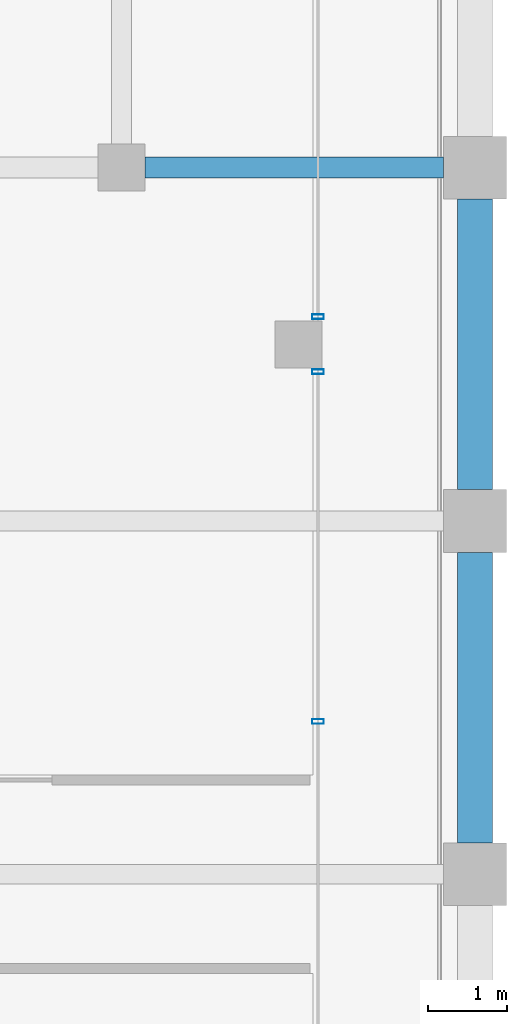
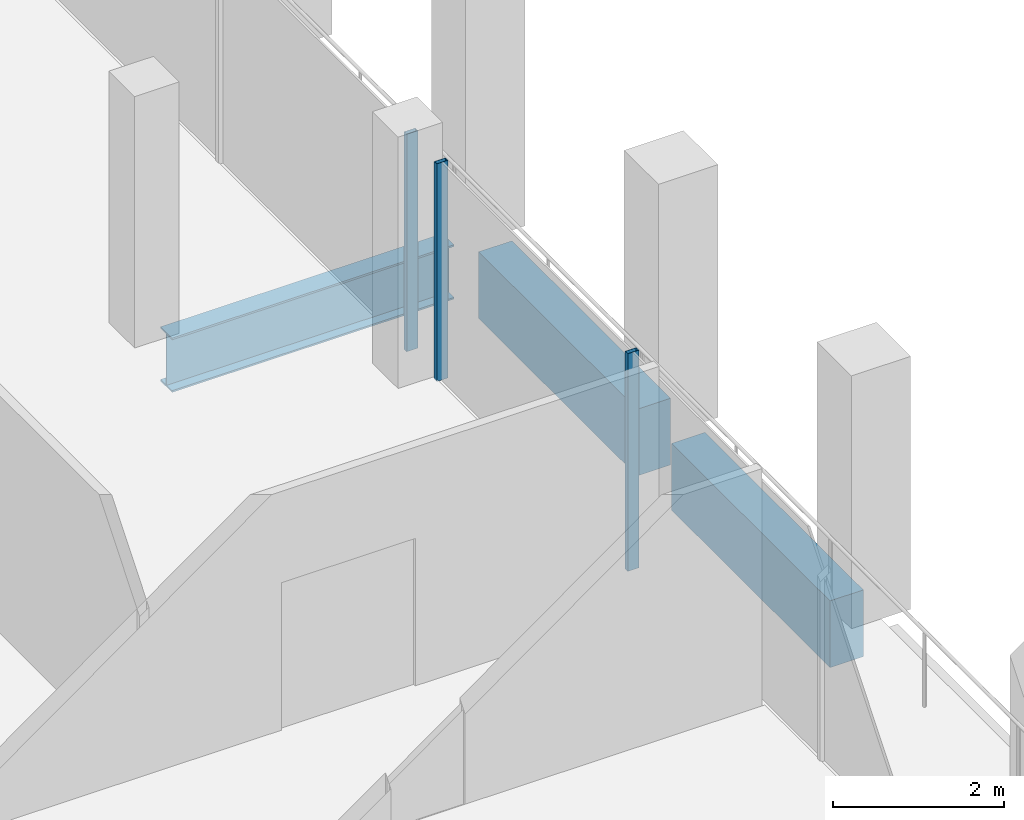
# One storey, part 19 of 30: 3 beams, 3 members, 2 elements without a shape of their own.
"""IFC4 building model written with IfcOpenShell, lengths in metres."""

from ifc_helpers import new_model, si_unit, direction, frame, origin, origin_2d, place, context, subcontext, project, spatial, rectangle, hollow_rectangle, i_section, extrude, material, material_profile, profile_set, type_object, element, aggregate, save


model = new_model("IFC4")

# Units and contexts
model_context = context("Model", 3, precision=1e-05, world=origin(), true_north=direction((0.0, 1.0)))
body_context = subcontext(model_context, "Body", "Model", "MODEL_VIEW")
ifc_project = project(units=[si_unit("LENGTHUNIT", "METRE"), si_unit("AREAUNIT", "SQUARE_METRE"), si_unit("VOLUMEUNIT", "CUBIC_METRE"), si_unit("PLANEANGLEUNIT", "RADIAN"), si_unit("MASSUNIT", "GRAM", prefix="KILO")], contexts=[model_context])

# Site, building, storey
site_placement = place(None, origin())
site = spatial("IfcSite", under=ifc_project, at=site_placement, CompositionType="ELEMENT")
building_placement = place(site_placement, origin())
building = spatial("IfcBuilding", under=site, at=building_placement, Name="Altepetl Exchange Towers", CompositionType="ELEMENT")
storey_placement = place(building_placement, frame((0.0, 0.0, 242.39990234375)))
storey = spatial("IfcBuildingStorey", under=building, at=storey_placement, Name="L62", CompositionType="ELEMENT", Elevation=242.39990234375)

# Beam
ifc_material_1 = material(Name="Steel S355", Category="steel")
ifc_material_profile_1 = material_profile(ifc_material_1, i_section(OverallWidth=0.26806640625, OverallDepth=0.77392578125, WebThickness=0.015380859375, FlangeThickness=0.025390625, at=origin_2d()), Name="W30X132")
ifc_profile_set_1 = profile_set([ifc_material_profile_1], Name="Steel S355")
beam_type_1 = type_object("IfcBeamType", Name="Girder W30X132", PredefinedType="BEAM", material=ifc_profile_set_1)
beam_placement = place(storey_placement, frame((67.800048828125, 58.5, -0.536865234375), z_axis=(1.0, 0.0, 0.0), x_axis=(0.0, 1.0, 0.0)))
element("IfcBeam", 1, at=beam_placement, inside=storey, type_object=beam_type_1, Name="gd:A:L62:002", PredefinedType="BEAM", context=body_context, shape_type="SweptSolid", body=[
    extrude(i_section(OverallWidth=0.26806640625, OverallDepth=0.77392578125, WebThickness=0.015380859375, FlangeThickness=0.025390625, at=origin_2d()), origin(), (0.0, 0.0, 1.0), 3.800048828125),
])

# Curtain wall, members
ifc_material_2 = material(Name="Aluminium 6063-T6 glazing", Category="aluminium")
curtain_wall_type = type_object("IfcCurtainWallType", Name="Loggia glazing system", PredefinedType="NOTDEFINED", material=ifc_material_2)
curtain_wall_1_placement = place(storey_placement, origin())
curtain_wall_1 = element("IfcCurtainWall", 2, at=curtain_wall_1_placement, inside=storey, type_object=curtain_wall_type, Name="CW1 run", PredefinedType="NOTDEFINED")
ifc_material_3 = material(Name="Aluminium 6063-T6", Category="aluminium")
ifc_material_profile_2 = material_profile(ifc_material_3, hollow_rectangle(XDim=0.06005859375, YDim=0.14990234375, WallThickness=0.0029296875, at=origin_2d()), Name="Mullion 60x150 aluminium")
ifc_profile_set_2 = profile_set([ifc_material_profile_2], Name="Aluminium 6063-T6")
member_type = type_object("IfcMemberType", Name="Mullion 60x150 aluminium", PredefinedType="MULLION", material=ifc_profile_set_2)
member_1_placement = place(storey_placement, frame((70.0, 51.444091796875, 0.0), z_axis=(0.0, 0.0, 1.0), x_axis=(0.0, 1.0, 0.0)))
member_1 = element("IfcMember", 3, at=member_1_placement, type_object=member_type, Name="MU1 mullion", PredefinedType="MULLION", context=body_context, shape_type="SweptSolid", body=[
    extrude(hollow_rectangle(XDim=0.06005859375, YDim=0.14990234375, WallThickness=0.0029296875, at=origin_2d()), origin(), (0.0, 0.0, 1.0), 3.10009765625),
])
member_2_placement = place(storey_placement, frame((70.0, 55.89990234375, 0.0), z_axis=(0.0, 0.0, 1.0), x_axis=(0.0, 1.0, 0.0)))
member_2 = element("IfcMember", 4, at=member_2_placement, type_object=member_type, Name="MU1 mullion", PredefinedType="MULLION", context=body_context, shape_type="SweptSolid", body=[
    extrude(hollow_rectangle(XDim=0.06005859375, YDim=0.14990234375, WallThickness=0.0029296875, at=origin_2d()), origin(), (0.0, 0.0, 1.0), 3.10009765625),
])
aggregate(curtain_wall_1, [member_1, member_2])

# Curtain wall, member
curtain_wall_2_placement = place(storey_placement, origin())
curtain_wall_2 = element("IfcCurtainWall", 5, at=curtain_wall_2_placement, inside=storey, type_object=curtain_wall_type, Name="CW1 run", PredefinedType="NOTDEFINED")
member_3_placement = place(storey_placement, frame((70.0, 56.60009765625, 0.0), z_axis=(0.0, 0.0, 1.0), x_axis=(0.0, 1.0, 0.0)))
member_3 = element("IfcMember", 6, at=member_3_placement, type_object=member_type, Name="MU1 mullion", PredefinedType="MULLION", context=body_context, shape_type="SweptSolid", body=[
    extrude(hollow_rectangle(XDim=0.06005859375, YDim=0.14990234375, WallThickness=0.0029296875, at=origin_2d()), origin(), (0.0, 0.0, 1.0), 3.10009765625),
])
aggregate(curtain_wall_2, [member_3])

# Beams
ifc_material_4 = material(Name="Concrete C50/60 precast with cantera amarilla facing", Category="concrete")
ifc_material_profile_3 = material_profile(ifc_material_4, rectangle(XDim=0.449951171875, YDim=0.949951171875, at=origin_2d()), Name="450 x 950")
ifc_profile_set_3 = profile_set([ifc_material_profile_3], Name="Concrete C50/60 precast with cantera amarilla facing")
beam_type_2 = type_object("IfcBeamType", Name="Spandrel beam 450x950 cantera amarilla", PredefinedType="SPANDREL", material=ifc_profile_set_3)
for number, where, z_axis, x_axis, name in (
    (7, (72.0, 49.89990234375, -0.625), (0.0, 1.0, 0.0), (-1.0, 0.0, 0.0), "sp:A:L62:016"),
    (8, (72.0, 54.39990234375, -0.625), (0.0, 1.0, 0.0), (-1.0, 0.0, 0.0), "sp:A:L62:017"),
):
    element("IfcBeam", number, at=place(storey_placement, frame(where, z_axis=z_axis, x_axis=x_axis)), inside=storey, type_object=beam_type_2, Name=name, PredefinedType="SPANDREL", context=body_context, shape_type="SweptSolid", body=[
        extrude(rectangle(XDim=0.449951171875, YDim=0.949951171875, at=origin_2d()), origin(), (0.0, 0.0, 1.0), 3.7001953125),
    ])

save(model, "model.ifc")
